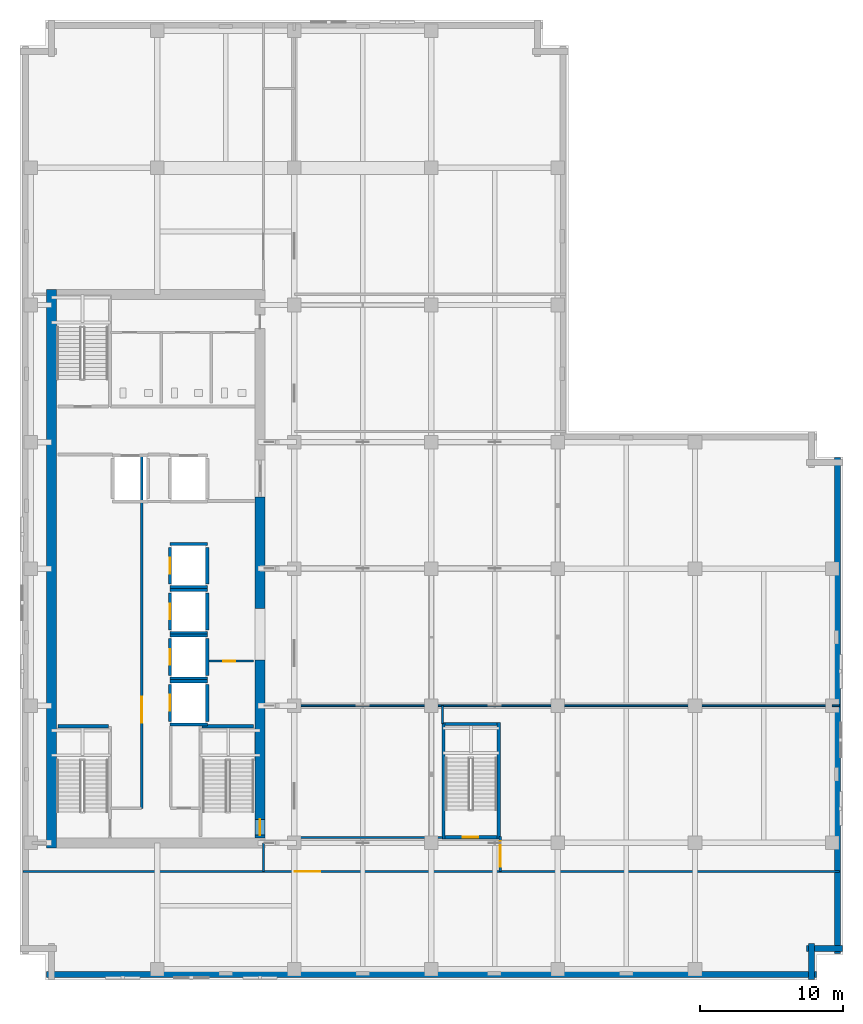
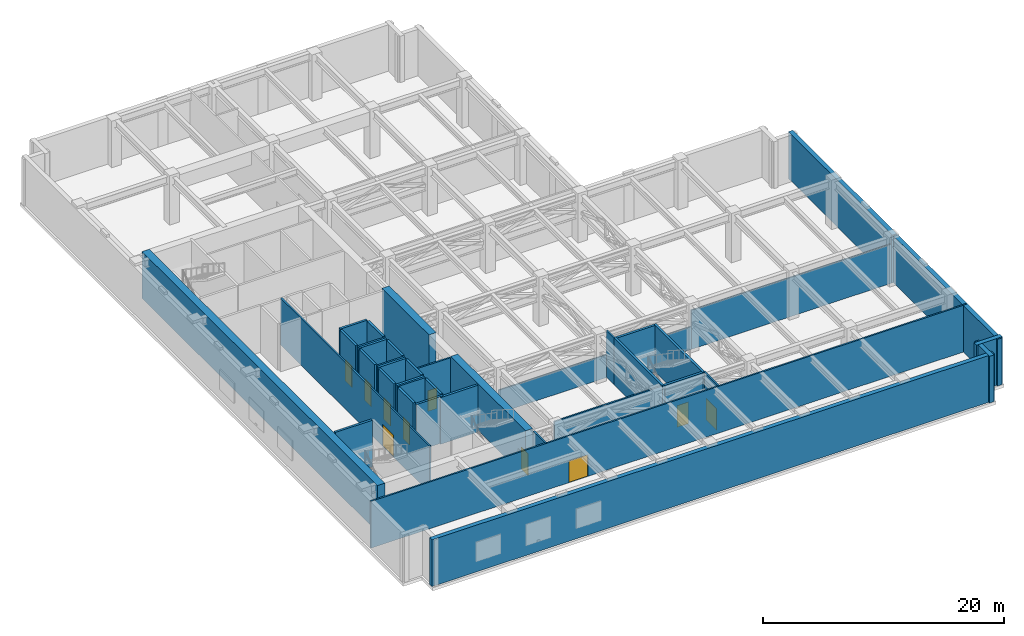
# One storey, part 13 of 21: 39 walls, 10 doors, 10 openings.
"""IFC4 building model written with IfcOpenShell, lengths in metres."""

from ifc_helpers import new_model, si_unit, direction, frame, frame_2d, origin, place, context, subcontext, project, spatial, rectangle, extrude, material, layer, layer_set, type_object, element, fill, save


model = new_model("IFC4")

# Units and contexts
model_context = context("Model", 3, precision=1e-05, world=origin(), true_north=direction((0.0, 1.0)))
body_context = subcontext(model_context, "Body", "Model", "MODEL_VIEW")
ifc_project = project(units=[si_unit("LENGTHUNIT", "METRE"), si_unit("AREAUNIT", "SQUARE_METRE"), si_unit("VOLUMEUNIT", "CUBIC_METRE"), si_unit("PLANEANGLEUNIT", "RADIAN"), si_unit("MASSUNIT", "GRAM", prefix="KILO")], contexts=[model_context])

# Site, building, storey
site_placement = place(None, origin())
site = spatial("IfcSite", under=ifc_project, at=site_placement, CompositionType="ELEMENT")
building_placement = place(site_placement, origin())
building = spatial("IfcBuilding", under=site, at=building_placement, Name="Norrvale University Quadrangle", CompositionType="ELEMENT")
storey_placement = place(building_placement, frame((0.0, 0.0, 194.0)))
storey = spatial("IfcBuildingStorey", under=building, at=storey_placement, Name="L49", CompositionType="ELEMENT", Elevation=194.0)

# Walls
ifc_material_1 = material(Name="Buff Norman Clay Brick Masonry", Category="masonry")
ifc_layer_1 = layer(ifc_material_1, 0.419921875, Name="Buff Norman Clay Brick Masonry")
ifc_layer_set_1 = layer_set([ifc_layer_1], Name="Buff Norman Clay Brick Masonry")
wall_type_1 = type_object("IfcWallType", Name="Wall Buff Brick 420", PredefinedType="SOLIDWALL", material=ifc_layer_set_1)
wall_1_placement = place(storey_placement, frame((1.840087890625, 0.389892578125, 0.0), z_axis=(0.0, 0.0, 1.0), x_axis=(1.0, 0.0, 0.0)))
element("IfcWall", 1, at=wall_1_placement, inside=storey, type_object=wall_type_1, Name="Exterior Brick Facade Wall L49-01.1", PredefinedType="SOLIDWALL", context=body_context, shape_type="SweptSolid", body=[
    extrude(rectangle(XDim=53.919921875, YDim=0.419921875, at=frame_2d((26.9599609375, 0.0))), origin(), (0.0, 0.0, 1.0), 4.739990234375),
])
for number, where, z_axis, x_axis, name in (
    (2, (55.409912109375, 0.0400390625, 0.0), (0.0, 0.0, 1.0), (0.0, 1.0, 0.0), "Exterior Brick Facade Wall L49-02.1"),
    (3, (55.06005859375, 2.18994140625, 0.0), (0.0, 0.0, 1.0), (1.0, 0.0, 0.0), "Exterior Brick Facade Wall L49-03.1"),
):
    element("IfcWall", number, at=place(storey_placement, frame(where, z_axis=z_axis, x_axis=x_axis)), inside=storey, type_object=wall_type_1, Name=name, PredefinedType="SOLIDWALL", context=body_context, shape_type="SweptSolid", body=[
        extrude(rectangle(XDim=2.5, YDim=0.419921875, at=frame_2d((1.25, 0.0))), origin(), (0.0, 0.0, 1.0), 4.739990234375),
    ])
wall_2_placement = place(storey_placement, frame((57.2099609375, 1.840087890625, 0.0), z_axis=(0.0, 0.0, 1.0), x_axis=(0.0, 1.0, 0.0)))
element("IfcWall", 4, at=wall_2_placement, inside=storey, type_object=wall_type_1, Name="Exterior Brick Facade Wall L49-04.1", PredefinedType="SOLIDWALL", context=body_context, shape_type="SweptSolid", body=[
    extrude(rectangle(XDim=34.719970703125, YDim=0.419921875, at=frame_2d((17.35986328125, 0.0))), origin(), (0.0, 0.0, 1.0), 4.739990234375),
])
ifc_material_2 = material(Name="Concrete C60/75", Category="concrete")
ifc_layer_2 = layer(ifc_material_2, 0.699951171875, Name="Concrete C60/75")
ifc_layer_set_2 = layer_set([ifc_layer_2], Name="Concrete C60/75")
wall_type_2 = type_object("IfcWallType", Name="Wall Core 700", PredefinedType="SHEAR", material=ifc_layer_set_2)
wall_3_placement = place(storey_placement, frame((2.199951171875, 9.25, 0.0), z_axis=(0.0, 0.0, 1.0), x_axis=(0.0, 1.0, 0.0)))
element("IfcWall", 5, at=wall_3_placement, inside=storey, type_object=wall_type_2, Name="Tower Core Shear Wall L49-W", PredefinedType="SHEAR", context=body_context, shape_type="SweptSolid", body=[
    extrude(rectangle(XDim=39.10009765625, YDim=0.699951171875, at=frame_2d((19.550048828125, 0.0))), origin(), (0.0, 0.0, 1.0), 4.739990234375),
])

# Wall, opening, door
wall_4_placement = place(storey_placement, frame((16.800048828125, 9.949951171875, 0.0), z_axis=(0.0, 0.0, 1.0), x_axis=(0.0, 1.0, 0.0)))
wall_4 = element("IfcWall", 6, at=wall_4_placement, inside=storey, type_object=wall_type_2, Name="Tower Core Shear Wall L49-E1", PredefinedType="SHEAR", context=body_context, shape_type="SweptSolid", body=[
    extrude(rectangle(XDim=12.449951171875, YDim=0.699951171875, at=frame_2d((6.22509765625, 0.0))), origin(), (0.0, 0.0, 1.0), 4.739990234375),
])
opening_1_placement = place(wall_4_placement, frame((0.18994140625, 0.0, 0.0)))
opening_1 = element("IfcOpeningElement", 7, at=opening_1_placement, cuts=wall_4, Name="Opening D02", PredefinedType="OPENING", context=body_context, shape_type="SweptSolid", body=[
    extrude(rectangle(XDim=1.10009765625, YDim=2.199951171875, at=frame_2d((0.550048828125, 1.10009765625))), frame((0.0, 0.362060546875, 0.0), z_axis=(0.0, -1.0, 0.0), x_axis=(1.0, 0.0, 0.0)), (0.0, 0.0, 1.0), 0.723876953125),
])
ifc_material_3 = material(Name="Hollow Steel 350W Fire Door", Category="steel")
door_type_1 = type_object("IfcDoorType", Name="Door Stair Exit 1100x2200", OperationType="NOTDEFINED", PredefinedType="DOOR", material=ifc_material_3)
door_1_placement = place(opening_1_placement, origin())
door_1 = element("IfcDoor", 8, at=door_1_placement, inside=storey, type_object=door_type_1, Name="Door Stair Exit 1100x2200 DR-L49-ST03", OperationType="SINGLE_SWING_LEFT", OverallHeight=2.199951171875, OverallWidth=1.10009765625, PredefinedType="DOOR", context=body_context, shape_type="SweptSolid", body=[
    extrude(rectangle(XDim=1.10009765625, YDim=2.199951171875, at=frame_2d((0.550048828125, 1.10009765625))), frame((0.0, 0.02490234375, 0.0), z_axis=(0.0, -1.0, 0.0), x_axis=(1.0, 0.0, 0.0)), (0.0, 0.0, 1.0), 0.050048828125),
])
fill(opening_1, door_1)

# Walls
wall_5_placement = place(storey_placement, frame((16.800048828125, 26.0, 0.0), z_axis=(0.0, 0.0, 1.0), x_axis=(0.0, 1.0, 0.0)))
element("IfcWall", 9, at=wall_5_placement, inside=storey, type_object=wall_type_2, Name="Tower Core Shear Wall L49-E2", PredefinedType="SHEAR", context=body_context, shape_type="SweptSolid", body=[
    extrude(rectangle(XDim=7.800048828125, YDim=0.699951171875, at=frame_2d((3.89990234375, 0.0))), origin(), (0.0, 0.0, 1.0), 4.739990234375),
])
ifc_material_4 = material(Name="Standard Academic Gypsum Partition")
ifc_layer_3 = layer(ifc_material_4, 0.125, Name="Standard Academic Gypsum Partition")
ifc_layer_set_3 = layer_set([ifc_layer_3], Name="Standard Academic Gypsum Partition")
wall_type_3 = type_object("IfcWallType", Name="Wall Gypsum Academic 125", PredefinedType="PARTITIONING", material=ifc_layer_set_3)
wall_6_placement = place(storey_placement, frame((29.580078125, 17.949951171875, 0.0), z_axis=(0.0, 0.0, 1.0), x_axis=(0.0, 1.0, 0.0)))
element("IfcWall", 10, at=wall_6_placement, inside=storey, type_object=wall_type_3, Name="Interior Partition WL-L49-SUB-E", PredefinedType="PARTITIONING", context=body_context, shape_type="SweptSolid", body=[
    extrude(rectangle(XDim=1.25, YDim=0.125, at=frame_2d((0.625, 0.0))), origin(), (0.0, 0.0, 1.0), 4.739990234375),
])
wall_7_placement = place(storey_placement, frame((19.199951171875, 19.199951171875, 0.0), z_axis=(0.0, 0.0, 1.0), x_axis=(1.0, 0.0, 0.0)))
element("IfcWall", 11, at=wall_7_placement, inside=storey, type_object=wall_type_3, Name="Interior Partition WL-L49-SUB-N", PredefinedType="PARTITIONING", context=body_context, shape_type="SweptSolid", body=[
    extrude(rectangle(XDim=18.449951171875, YDim=0.125, at=frame_2d((9.22509765625, 0.0))), origin(), (0.0, 0.0, 1.0), 2.322509765625),
])
wall_8_placement = place(storey_placement, frame((37.64990234375, 19.199951171875, 0.0), z_axis=(0.0, 0.0, 1.0), x_axis=(1.0, 0.0, 0.0)))
element("IfcWall", 12, at=wall_8_placement, inside=storey, type_object=wall_type_3, Name="Interior Partition WL-L49-SUB-N-B2", PredefinedType="PARTITIONING", context=body_context, shape_type="SweptSolid", body=[
    extrude(rectangle(XDim=19.2001953125, YDim=0.125, at=frame_2d((9.60009765625, 0.0))), origin(), (0.0, 0.0, 1.0), 3.967041015625),
])
wall_9_placement = place(storey_placement, frame((56.85009765625, 19.199951171875, 0.0), z_axis=(0.0, 0.0, 1.0), x_axis=(1.0, 0.0, 0.0)))
element("IfcWall", 13, at=wall_9_placement, inside=storey, type_object=wall_type_3, Name="Interior Partition WL-L49-SUB-N-B3", PredefinedType="PARTITIONING", context=body_context, shape_type="SweptSolid", body=[
    extrude(rectangle(XDim=0.52978515625, YDim=0.125, at=frame_2d((0.264892578125, 0.0))), origin(), (0.0, 0.0, 1.0), 4.739990234375),
])

# Wall, opening, door
ifc_material_5 = material(Name="Fire-Rated Gypsum Stud Partition")
ifc_layer_4 = layer(ifc_material_5, 0.14990234375, Name="Fire-Rated Gypsum Stud Partition")
ifc_layer_set_4 = layer_set([ifc_layer_4], Name="Fire-Rated Gypsum Stud Partition")
wall_type_4 = type_object("IfcWallType", Name="Wall Gypsum Corridor 150", PredefinedType="PARTITIONING", material=ifc_layer_set_4)
wall_10_placement = place(storey_placement, frame((13.22509765625, 22.320068359375, 0.0), z_axis=(0.0, 0.0, 1.0), x_axis=(1.0, 0.0, 0.0)))
wall_10 = element("IfcWall", 14, at=wall_10_placement, inside=storey, type_object=wall_type_4, Name="Interior Partition WL-L49-JAN-N", PredefinedType="PARTITIONING", context=body_context, shape_type="SweptSolid", body=[
    extrude(rectangle(XDim=3.119873046875, YDim=0.14990234375, at=frame_2d((1.56005859375, 0.0))), origin(), (0.0, 0.0, 1.0), 4.739990234375),
])
opening_2_placement = place(wall_10_placement, frame((1.0, 0.0, 0.0)))
opening_2 = element("IfcOpeningElement", 15, at=opening_2_placement, cuts=wall_10, Name="Opening D10", PredefinedType="OPENING", context=body_context, shape_type="SweptSolid", body=[
    extrude(rectangle(XDim=0.85009765625, YDim=2.10009765625, at=frame_2d((0.425048828125, 1.050048828125))), frame((0.0, 0.0869140625, 0.0), z_axis=(0.0, -1.0, 0.0), x_axis=(1.0, 0.0, 0.0)), (0.0, 0.0, 1.0), 0.173828125),
])
ifc_material_6 = material(Name="Hollow Steel 350W Riser Fire Door", Category="steel")
door_type_2 = type_object("IfcDoorType", Name="Door Riser 850x2100", OperationType="NOTDEFINED", PredefinedType="DOOR", material=ifc_material_6)
door_2_placement = place(opening_2_placement, origin())
door_2 = element("IfcDoor", 16, at=door_2_placement, inside=storey, type_object=door_type_2, Name="Door Riser 850x2100 DR-L49-JAN", OperationType="SINGLE_SWING_LEFT", OverallHeight=2.10009765625, OverallWidth=0.85009765625, PredefinedType="DOOR", context=body_context, shape_type="SweptSolid", body=[
    extrude(rectangle(XDim=0.85009765625, YDim=2.10009765625, at=frame_2d((0.425048828125, 1.050048828125))), frame((0.0, 0.02490234375, 0.0), z_axis=(0.0, -1.0, 0.0), x_axis=(1.0, 0.0, 0.0)), (0.0, 0.0, 1.0), 0.050048828125),
])
fill(opening_2, door_2)

wall_11_placement = place(storey_placement, frame((8.52001953125, 12.02001953125, 0.0), z_axis=(0.0, 0.0, 1.0), x_axis=(0.0, 1.0, 0.0)))
wall_11 = element("IfcWall", 17, at=wall_11_placement, inside=storey, type_object=wall_type_4, Name="Interior Partition WL-L49-REC-E", PredefinedType="PARTITIONING", context=body_context, shape_type="SweptSolid", body=[
    extrude(rectangle(XDim=24.760009765625, YDim=0.14990234375, at=frame_2d((12.3798828125, 0.0))), origin(), (0.0, 0.0, 1.0), 4.739990234375),
])
opening_3_placement = place(wall_11_placement, frame((6.0, 0.0, 0.0)))
opening_3 = element("IfcOpeningElement", 18, at=opening_3_placement, cuts=wall_11, Name="Opening D03", PredefinedType="OPENING", context=body_context, shape_type="SweptSolid", body=[
    extrude(rectangle(XDim=1.800048828125, YDim=2.199951171875, at=frame_2d((0.89990234375, 1.10009765625))), frame((0.0, 0.0869140625, 0.0), z_axis=(0.0, -1.0, 0.0), x_axis=(1.0, 0.0, 0.0)), (0.0, 0.0, 1.0), 0.173828125),
])
door_type_3 = type_object("IfcDoorType", Name="Door Fire Lobby 1800x2200", OperationType="DOUBLE_DOOR_SINGLE_SWING", PredefinedType="DOOR", material=ifc_material_3)
door_3_placement = place(opening_3_placement, origin())
door_3 = element("IfcDoor", 19, at=door_3_placement, inside=storey, type_object=door_type_3, Name="Door Fire Lobby 1800x2200 DR-L49-RECP", OperationType="DOUBLE_DOOR_SINGLE_SWING", OverallHeight=2.199951171875, OverallWidth=1.800048828125, PredefinedType="DOOR", context=body_context, shape_type="SweptSolid", body=[
    extrude(rectangle(XDim=1.800048828125, YDim=2.199951171875, at=frame_2d((0.89990234375, 1.10009765625))), frame((0.0, 0.02490234375, 0.0), z_axis=(0.0, -1.0, 0.0), x_axis=(1.0, 0.0, 0.0)), (0.0, 0.0, 1.0), 0.050048828125),
])
fill(opening_3, door_3)

# Wall
wall_12_placement = place(storey_placement, frame((17.050048828125, 7.60009765625, 0.0), z_axis=(0.0, 0.0, 1.0), x_axis=(0.0, 1.0, 0.0)))
element("IfcWall", 20, at=wall_12_placement, inside=storey, type_object=wall_type_4, Name="Interior Partition WL-L49-PCSW", PredefinedType="PARTITIONING", context=body_context, shape_type="SweptSolid", body=[
    extrude(rectangle(XDim=2.0, YDim=0.14990234375, at=frame_2d((1.0, 0.0))), origin(), (0.0, 0.0, 1.0), 4.739990234375),
])

# Wall, opening, door
wall_13_placement = place(storey_placement, frame((0.219970703125, 7.60009765625, 0.0), z_axis=(0.0, 0.0, 1.0), x_axis=(1.0, 0.0, 0.0)))
wall_13 = element("IfcWall", 21, at=wall_13_placement, inside=storey, type_object=wall_type_4, Name="Interior Partition WL-L49-PMP-N", PredefinedType="PARTITIONING", context=body_context, shape_type="SweptSolid", body=[
    extrude(rectangle(XDim=57.159912109375, YDim=0.14990234375, at=frame_2d((28.580078125, 0.0))), origin(), (0.0, 0.0, 1.0), 4.739990234375),
])
opening_4_placement = place(wall_13_placement, frame((19.0, 0.0, 0.0)))
opening_4 = element("IfcOpeningElement", 22, at=opening_4_placement, cuts=wall_13, Name="Opening D03", PredefinedType="OPENING", context=body_context, shape_type="SweptSolid", body=[
    extrude(rectangle(XDim=1.800048828125, YDim=2.199951171875, at=frame_2d((0.89990234375, 1.10009765625))), frame((0.0, 0.0869140625, 0.0), z_axis=(0.0, -1.0, 0.0), x_axis=(1.0, 0.0, 0.0)), (0.0, 0.0, 1.0), 0.173828125),
])
door_4_placement = place(opening_4_placement, origin())
door_4 = element("IfcDoor", 23, at=door_4_placement, inside=storey, type_object=door_type_3, Name="Door Fire Lobby 1800x2200 DR-L49-PMP1", OperationType="DOUBLE_DOOR_SINGLE_SWING", OverallHeight=2.199951171875, OverallWidth=1.800048828125, PredefinedType="DOOR", context=body_context, shape_type="SweptSolid", body=[
    extrude(rectangle(XDim=1.800048828125, YDim=2.199951171875, at=frame_2d((0.89990234375, 1.10009765625))), frame((0.0, 0.02490234375, 0.0), z_axis=(0.0, -1.0, 0.0), x_axis=(1.0, 0.0, 0.0)), (0.0, 0.0, 1.0), 0.050048828125),
])
fill(opening_4, door_4)

wall_14_placement = place(storey_placement, frame((33.6201171875, 7.60009765625, 0.0), z_axis=(0.0, 0.0, 1.0), x_axis=(0.0, 1.0, 0.0)))
wall_14 = element("IfcWall", 24, at=wall_14_placement, inside=storey, type_object=wall_type_4, Name="Interior Partition WL-L49-BLR-W", PredefinedType="PARTITIONING", context=body_context, shape_type="SweptSolid", body=[
    extrude(rectangle(XDim=2.449951171875, YDim=0.14990234375, at=frame_2d((1.22509765625, 0.0))), origin(), (0.0, 0.0, 1.0), 4.739990234375),
])
opening_5_placement = place(wall_14_placement, frame((0.320068359375, 0.0, 0.0)))
opening_5 = element("IfcOpeningElement", 25, at=opening_5_placement, cuts=wall_14, Name="Opening D03", PredefinedType="OPENING", context=body_context, shape_type="SweptSolid", body=[
    extrude(rectangle(XDim=1.800048828125, YDim=2.199951171875, at=frame_2d((0.89990234375, 1.10009765625))), frame((0.0, 0.0869140625, 0.0), z_axis=(0.0, -1.0, 0.0), x_axis=(1.0, 0.0, 0.0)), (0.0, 0.0, 1.0), 0.173828125),
])
door_5_placement = place(opening_5_placement, origin())
door_5 = element("IfcDoor", 26, at=door_5_placement, inside=storey, type_object=door_type_3, Name="Door Fire Lobby 1800x2200 DR-L49-BLR1", OperationType="DOUBLE_DOOR_SINGLE_SWING", OverallHeight=2.199951171875, OverallWidth=1.800048828125, PredefinedType="DOOR", context=body_context, shape_type="SweptSolid", body=[
    extrude(rectangle(XDim=1.800048828125, YDim=2.199951171875, at=frame_2d((0.89990234375, 1.10009765625))), frame((0.0, 0.02490234375, 0.0), z_axis=(0.0, -1.0, 0.0), x_axis=(1.0, 0.0, 0.0)), (0.0, 0.0, 1.0), 0.050048828125),
])
fill(opening_5, door_5)

# Walls
wall_15_placement = place(storey_placement, frame((19.199951171875, 9.97998046875, 0.0), z_axis=(0.0, 0.0, 1.0), x_axis=(1.0, 0.0, 0.0)))
element("IfcWall", 27, at=wall_15_placement, inside=storey, type_object=wall_type_4, Name="Interior Partition WL-L49-SUB-S", PredefinedType="PARTITIONING", context=body_context, shape_type="SweptSolid", body=[
    extrude(rectangle(XDim=10.380126953125, YDim=0.14990234375, at=frame_2d((5.18994140625, 0.0))), origin(), (0.0, 0.0, 1.0), 4.739990234375),
])
ifc_material_7 = material(Name="Concrete Blockwork 20 MPa Fire Shaft", Category="masonry")
ifc_layer_5 = layer(ifc_material_7, 0.219970703125, Name="Concrete Blockwork 20 MPa Fire Shaft")
ifc_layer_set_5 = layer_set([ifc_layer_5], Name="Concrete Blockwork 20 MPa Fire Shaft")
wall_type_5 = type_object("IfcWallType", Name="Wall Shaft 220", PredefinedType="SOLIDWALL", material=ifc_layer_set_5)
wall_16_placement = place(storey_placement, frame((2.64990234375, 17.760009765625, 0.0), z_axis=(0.0, 0.0, 1.0), x_axis=(1.0, 0.0, 0.0)))
element("IfcWall", 28, at=wall_16_placement, inside=storey, type_object=wall_type_5, Name="Stair ST-01 North Shaft Wall L49", PredefinedType="SOLIDWALL", context=body_context, shape_type="SweptSolid", body=[
    extrude(rectangle(XDim=3.550048828125, YDim=0.219970703125, at=frame_2d((1.77490234375, 0.0))), origin(), (0.0, 0.0, 1.0), 4.739990234375),
])
wall_17_placement = place(storey_placement, frame((12.75, 17.760009765625, 0.0), z_axis=(0.0, 0.0, 1.0), x_axis=(1.0, 0.0, 0.0)))
element("IfcWall", 29, at=wall_17_placement, inside=storey, type_object=wall_type_5, Name="Stair ST-03 North Shaft Wall L49", PredefinedType="SOLIDWALL", context=body_context, shape_type="SweptSolid", body=[
    extrude(rectangle(XDim=3.60009765625, YDim=0.219970703125, at=frame_2d((1.800048828125, 0.0))), origin(), (0.0, 0.0, 1.0), 4.739990234375),
])

# Wall, opening, door
wall_18_placement = place(storey_placement, frame((29.75, 9.989990234375, 0.0), z_axis=(0.0, 0.0, 1.0), x_axis=(1.0, 0.0, 0.0)))
wall_18 = element("IfcWall", 30, at=wall_18_placement, inside=storey, type_object=wall_type_5, Name="Stair ST-04 South Shaft Wall L49", PredefinedType="SOLIDWALL", context=body_context, shape_type="SweptSolid", body=[
    extrude(rectangle(XDim=3.64990234375, YDim=0.219970703125, at=frame_2d((1.824951171875, 0.0))), origin(), (0.0, 0.0, 1.0), 4.739990234375),
])
opening_6_placement = place(wall_18_placement, frame((1.239990234375, 0.0, 0.0)))
opening_6 = element("IfcOpeningElement", 31, at=opening_6_placement, cuts=wall_18, Name="Opening D02", PredefinedType="OPENING", context=body_context, shape_type="SweptSolid", body=[
    extrude(rectangle(XDim=1.10009765625, YDim=2.199951171875, at=frame_2d((0.550048828125, 1.10009765625))), frame((0.0, 0.1220703125, 0.0), z_axis=(0.0, -1.0, 0.0), x_axis=(1.0, 0.0, 0.0)), (0.0, 0.0, 1.0), 0.243896484375),
])
door_6_placement = place(opening_6_placement, origin())
door_6 = element("IfcDoor", 32, at=door_6_placement, inside=storey, type_object=door_type_1, Name="Door Stair Exit 1100x2200 DR-L49-ST04", OperationType="SINGLE_SWING_LEFT", OverallHeight=2.199951171875, OverallWidth=1.10009765625, PredefinedType="DOOR", context=body_context, shape_type="SweptSolid", body=[
    extrude(rectangle(XDim=1.10009765625, YDim=2.199951171875, at=frame_2d((0.550048828125, 1.10009765625))), frame((0.0, 0.02490234375, 0.0), z_axis=(0.0, -1.0, 0.0), x_axis=(1.0, 0.0, 0.0)), (0.0, 0.0, 1.0), 0.050048828125),
])
fill(opening_6, door_6)

# Walls
for number, where, z_axis, x_axis, name in (
    (33, (29.639892578125, 9.8798828125, 0.0), (0.0, 0.0, 1.0), (0.0, 1.0, 0.0), "Stair ST-04 West Shaft Wall L49"),
    (34, (33.510009765625, 9.8798828125, 0.0), (0.0, 0.0, 1.0), (0.0, 1.0, 0.0), "Stair ST-04 East Shaft Wall L49"),
):
    element("IfcWall", number, at=place(storey_placement, frame(where, z_axis=z_axis, x_axis=x_axis)), inside=storey, type_object=wall_type_5, Name=name, PredefinedType="SOLIDWALL", context=body_context, shape_type="SweptSolid", body=[
        extrude(rectangle(XDim=8.14013671875, YDim=0.219970703125, at=frame_2d((4.070068359375, 0.0))), origin(), (0.0, 0.0, 1.0), 4.739990234375),
    ])
wall_19_placement = place(storey_placement, frame((29.75, 17.909912109375, 0.0), z_axis=(0.0, 0.0, 1.0), x_axis=(1.0, 0.0, 0.0)))
element("IfcWall", 35, at=wall_19_placement, inside=storey, type_object=wall_type_5, Name="Stair ST-04 North Shaft Wall L49", PredefinedType="SOLIDWALL", context=body_context, shape_type="SweptSolid", body=[
    extrude(rectangle(XDim=3.64990234375, YDim=0.219970703125, at=frame_2d((1.824951171875, 0.0))), origin(), (0.0, 0.0, 1.0), 4.739990234375),
])

# Wall, opening, door
wall_20_placement = place(storey_placement, frame((10.489990234375, 18.110107421875, 0.0), z_axis=(0.0, 0.0, 1.0), x_axis=(0.0, 1.0, 0.0)))
wall_20 = element("IfcWall", 36, at=wall_20_placement, inside=storey, type_object=wall_type_5, Name="Hoistway PL-05 West Wall L49", PredefinedType="SOLIDWALL", context=body_context, shape_type="SweptSolid", body=[
    extrude(rectangle(XDim=2.579833984375, YDim=0.219970703125, at=frame_2d((1.2900390625, 0.0))), origin(), (0.0, 0.0, 1.0), 4.739990234375),
])
opening_7_placement = place(wall_20_placement, frame((0.739990234375, 0.0, 0.0)))
opening_7 = element("IfcOpeningElement", 37, at=opening_7_placement, cuts=wall_20, Name="Opening LD1", PredefinedType="OPENING", context=body_context, shape_type="SweptSolid", body=[
    extrude(rectangle(XDim=1.10009765625, YDim=2.199951171875, at=frame_2d((0.550048828125, 1.10009765625))), frame((0.0, 0.1220703125, 0.0), z_axis=(0.0, -1.0, 0.0), x_axis=(1.0, 0.0, 0.0)), (0.0, 0.0, 1.0), 0.243896484375),
])
ifc_material_8 = material(Name="Stainless Steel 316L Lift Landing Door", Category="steel")
door_type_4 = type_object("IfcDoorType", Name="Door Lift Landing 1100x2200", OperationType="DOUBLE_DOOR_SLIDING", PredefinedType="DOOR", material=ifc_material_8)
door_7_placement = place(opening_7_placement, origin())
door_7 = element("IfcDoor", 38, at=door_7_placement, inside=storey, type_object=door_type_4, Name="Elevator Landing Door DR-L49-PL-05", OperationType="DOUBLE_DOOR_SLIDING", OverallHeight=2.199951171875, OverallWidth=1.10009765625, PredefinedType="DOOR", context=body_context, shape_type="SweptSolid", body=[
    extrude(rectangle(XDim=1.10009765625, YDim=2.199951171875, at=frame_2d((0.550048828125, 1.10009765625))), frame((0.0, 0.02490234375, 0.0), z_axis=(0.0, -1.0, 0.0), x_axis=(1.0, 0.0, 0.0)), (0.0, 0.0, 1.0), 0.050048828125),
])
fill(opening_7, door_7)

# Walls
wall_21_placement = place(storey_placement, frame((13.110107421875, 18.110107421875, 0.0), z_axis=(0.0, 0.0, 1.0), x_axis=(0.0, 1.0, 0.0)))
element("IfcWall", 39, at=wall_21_placement, inside=storey, type_object=wall_type_5, Name="Hoistway PL-05 East Wall L49", PredefinedType="SOLIDWALL", context=body_context, shape_type="SweptSolid", body=[
    extrude(rectangle(XDim=2.579833984375, YDim=0.219970703125, at=frame_2d((1.2900390625, 0.0))), origin(), (0.0, 0.0, 1.0), 4.739990234375),
])
for number, where, z_axis, x_axis, name in (
    (40, (10.489990234375, 17.889892578125, 0.0), (0.0, 0.0, 1.0), (1.0, 0.0, 0.0), "Hoistway PL-05 South Wall L49"),
    (41, (10.489990234375, 20.909912109375, 0.0), (0.0, 0.0, 1.0), (1.0, 0.0, 0.0), "Hoistway PL-05 North Wall L49"),
):
    element("IfcWall", number, at=place(storey_placement, frame(where, z_axis=z_axis, x_axis=x_axis)), inside=storey, type_object=wall_type_5, Name=name, PredefinedType="SOLIDWALL", context=body_context, shape_type="SweptSolid", body=[
        extrude(rectangle(XDim=2.6201171875, YDim=0.219970703125, at=frame_2d((1.31005859375, 0.0))), origin(), (0.0, 0.0, 1.0), 4.739990234375),
    ])

# Wall, opening, door
wall_22_placement = place(storey_placement, frame((10.489990234375, 21.31005859375, 0.0), z_axis=(0.0, 0.0, 1.0), x_axis=(0.0, 1.0, 0.0)))
wall_22 = element("IfcWall", 42, at=wall_22_placement, inside=storey, type_object=wall_type_5, Name="Hoistway PL-06 West Wall L49", PredefinedType="SOLIDWALL", context=body_context, shape_type="SweptSolid", body=[
    extrude(rectangle(XDim=2.579833984375, YDim=0.219970703125, at=frame_2d((1.2900390625, 0.0))), origin(), (0.0, 0.0, 1.0), 4.739990234375),
])
opening_8_placement = place(wall_22_placement, frame((0.739990234375, 0.0, 0.0)))
opening_8 = element("IfcOpeningElement", 43, at=opening_8_placement, cuts=wall_22, Name="Opening LD1", PredefinedType="OPENING", context=body_context, shape_type="SweptSolid", body=[
    extrude(rectangle(XDim=1.10009765625, YDim=2.199951171875, at=frame_2d((0.550048828125, 1.10009765625))), frame((0.0, 0.1220703125, 0.0), z_axis=(0.0, -1.0, 0.0), x_axis=(1.0, 0.0, 0.0)), (0.0, 0.0, 1.0), 0.243896484375),
])
door_8_placement = place(opening_8_placement, origin())
door_8 = element("IfcDoor", 44, at=door_8_placement, inside=storey, type_object=door_type_4, Name="Elevator Landing Door DR-L49-PL-06", OperationType="DOUBLE_DOOR_SLIDING", OverallHeight=2.199951171875, OverallWidth=1.10009765625, PredefinedType="DOOR", context=body_context, shape_type="SweptSolid", body=[
    extrude(rectangle(XDim=1.10009765625, YDim=2.199951171875, at=frame_2d((0.550048828125, 1.10009765625))), frame((0.0, 0.02490234375, 0.0), z_axis=(0.0, -1.0, 0.0), x_axis=(1.0, 0.0, 0.0)), (0.0, 0.0, 1.0), 0.050048828125),
])
fill(opening_8, door_8)

# Walls
wall_23_placement = place(storey_placement, frame((13.110107421875, 21.31005859375, 0.0), z_axis=(0.0, 0.0, 1.0), x_axis=(0.0, 1.0, 0.0)))
element("IfcWall", 45, at=wall_23_placement, inside=storey, type_object=wall_type_5, Name="Hoistway PL-06 East Wall L49", PredefinedType="SOLIDWALL", context=body_context, shape_type="SweptSolid", body=[
    extrude(rectangle(XDim=2.579833984375, YDim=0.219970703125, at=frame_2d((1.2900390625, 0.0))), origin(), (0.0, 0.0, 1.0), 4.739990234375),
])
for number, where, z_axis, x_axis, name in (
    (46, (10.489990234375, 21.090087890625, 0.0), (0.0, 0.0, 1.0), (1.0, 0.0, 0.0), "Hoistway PL-06 South Wall L49"),
    (47, (10.489990234375, 24.110107421875, 0.0), (0.0, 0.0, 1.0), (1.0, 0.0, 0.0), "Hoistway PL-06 North Wall L49"),
):
    element("IfcWall", number, at=place(storey_placement, frame(where, z_axis=z_axis, x_axis=x_axis)), inside=storey, type_object=wall_type_5, Name=name, PredefinedType="SOLIDWALL", context=body_context, shape_type="SweptSolid", body=[
        extrude(rectangle(XDim=2.6201171875, YDim=0.219970703125, at=frame_2d((1.31005859375, 0.0))), origin(), (0.0, 0.0, 1.0), 4.739990234375),
    ])

# Wall, opening, door
wall_24_placement = place(storey_placement, frame((10.489990234375, 24.510009765625, 0.0), z_axis=(0.0, 0.0, 1.0), x_axis=(0.0, 1.0, 0.0)))
wall_24 = element("IfcWall", 48, at=wall_24_placement, inside=storey, type_object=wall_type_5, Name="Hoistway PL-07 West Wall L49", PredefinedType="SOLIDWALL", context=body_context, shape_type="SweptSolid", body=[
    extrude(rectangle(XDim=2.580078125, YDim=0.219970703125, at=frame_2d((1.2900390625, 0.0))), origin(), (0.0, 0.0, 1.0), 4.739990234375),
])
opening_9_placement = place(wall_24_placement, frame((0.739990234375, 0.0, 0.0)))
opening_9 = element("IfcOpeningElement", 49, at=opening_9_placement, cuts=wall_24, Name="Opening LD1", PredefinedType="OPENING", context=body_context, shape_type="SweptSolid", body=[
    extrude(rectangle(XDim=1.10009765625, YDim=2.199951171875, at=frame_2d((0.550048828125, 1.10009765625))), frame((0.0, 0.1220703125, 0.0), z_axis=(0.0, -1.0, 0.0), x_axis=(1.0, 0.0, 0.0)), (0.0, 0.0, 1.0), 0.243896484375),
])
door_9_placement = place(opening_9_placement, origin())
door_9 = element("IfcDoor", 50, at=door_9_placement, inside=storey, type_object=door_type_4, Name="Elevator Landing Door DR-L49-PL-07", OperationType="DOUBLE_DOOR_SLIDING", OverallHeight=2.199951171875, OverallWidth=1.10009765625, PredefinedType="DOOR", context=body_context, shape_type="SweptSolid", body=[
    extrude(rectangle(XDim=1.10009765625, YDim=2.199951171875, at=frame_2d((0.550048828125, 1.10009765625))), frame((0.0, 0.02490234375, 0.0), z_axis=(0.0, -1.0, 0.0), x_axis=(1.0, 0.0, 0.0)), (0.0, 0.0, 1.0), 0.050048828125),
])
fill(opening_9, door_9)

# Walls
wall_25_placement = place(storey_placement, frame((13.110107421875, 24.510009765625, 0.0), z_axis=(0.0, 0.0, 1.0), x_axis=(0.0, 1.0, 0.0)))
element("IfcWall", 51, at=wall_25_placement, inside=storey, type_object=wall_type_5, Name="Hoistway PL-07 East Wall L49", PredefinedType="SOLIDWALL", context=body_context, shape_type="SweptSolid", body=[
    extrude(rectangle(XDim=2.580078125, YDim=0.219970703125, at=frame_2d((1.2900390625, 0.0))), origin(), (0.0, 0.0, 1.0), 4.739990234375),
])
for number, where, z_axis, x_axis, name in (
    (52, (10.489990234375, 24.2900390625, 0.0), (0.0, 0.0, 1.0), (1.0, 0.0, 0.0), "Hoistway PL-07 South Wall L49"),
    (53, (10.489990234375, 27.31005859375, 0.0), (0.0, 0.0, 1.0), (1.0, 0.0, 0.0), "Hoistway PL-07 North Wall L49"),
):
    element("IfcWall", number, at=place(storey_placement, frame(where, z_axis=z_axis, x_axis=x_axis)), inside=storey, type_object=wall_type_5, Name=name, PredefinedType="SOLIDWALL", context=body_context, shape_type="SweptSolid", body=[
        extrude(rectangle(XDim=2.6201171875, YDim=0.219970703125, at=frame_2d((1.31005859375, 0.0))), origin(), (0.0, 0.0, 1.0), 4.739990234375),
    ])

# Wall, opening, door
wall_26_placement = place(storey_placement, frame((10.489990234375, 27.7099609375, 0.0), z_axis=(0.0, 0.0, 1.0), x_axis=(0.0, 1.0, 0.0)))
wall_26 = element("IfcWall", 54, at=wall_26_placement, inside=storey, type_object=wall_type_5, Name="Hoistway PL-08 West Wall L49", PredefinedType="SOLIDWALL", context=body_context, shape_type="SweptSolid", body=[
    extrude(rectangle(XDim=2.580078125, YDim=0.219970703125, at=frame_2d((1.2900390625, 0.0))), origin(), (0.0, 0.0, 1.0), 4.739990234375),
])
opening_10_placement = place(wall_26_placement, frame((0.739990234375, 0.0, 0.0)))
opening_10 = element("IfcOpeningElement", 55, at=opening_10_placement, cuts=wall_26, Name="Opening LD1", PredefinedType="OPENING", context=body_context, shape_type="SweptSolid", body=[
    extrude(rectangle(XDim=1.10009765625, YDim=2.199951171875, at=frame_2d((0.550048828125, 1.10009765625))), frame((0.0, 0.1220703125, 0.0), z_axis=(0.0, -1.0, 0.0), x_axis=(1.0, 0.0, 0.0)), (0.0, 0.0, 1.0), 0.243896484375),
])
door_10_placement = place(opening_10_placement, origin())
door_10 = element("IfcDoor", 56, at=door_10_placement, inside=storey, type_object=door_type_4, Name="Elevator Landing Door DR-L49-PL-08", OperationType="DOUBLE_DOOR_SLIDING", OverallHeight=2.199951171875, OverallWidth=1.10009765625, PredefinedType="DOOR", context=body_context, shape_type="SweptSolid", body=[
    extrude(rectangle(XDim=1.10009765625, YDim=2.199951171875, at=frame_2d((0.550048828125, 1.10009765625))), frame((0.0, 0.02490234375, 0.0), z_axis=(0.0, -1.0, 0.0), x_axis=(1.0, 0.0, 0.0)), (0.0, 0.0, 1.0), 0.050048828125),
])
fill(opening_10, door_10)

# Walls
wall_27_placement = place(storey_placement, frame((13.110107421875, 27.7099609375, 0.0), z_axis=(0.0, 0.0, 1.0), x_axis=(0.0, 1.0, 0.0)))
element("IfcWall", 57, at=wall_27_placement, inside=storey, type_object=wall_type_5, Name="Hoistway PL-08 East Wall L49", PredefinedType="SOLIDWALL", context=body_context, shape_type="SweptSolid", body=[
    extrude(rectangle(XDim=2.580078125, YDim=0.219970703125, at=frame_2d((1.2900390625, 0.0))), origin(), (0.0, 0.0, 1.0), 4.739990234375),
])
for number, where, z_axis, x_axis, name in (
    (58, (10.489990234375, 27.489990234375, 0.0), (0.0, 0.0, 1.0), (1.0, 0.0, 0.0), "Hoistway PL-08 South Wall L49"),
    (59, (10.489990234375, 30.510009765625, 0.0), (0.0, 0.0, 1.0), (1.0, 0.0, 0.0), "Hoistway PL-08 North Wall L49"),
):
    element("IfcWall", number, at=place(storey_placement, frame(where, z_axis=z_axis, x_axis=x_axis)), inside=storey, type_object=wall_type_5, Name=name, PredefinedType="SOLIDWALL", context=body_context, shape_type="SweptSolid", body=[
        extrude(rectangle(XDim=2.6201171875, YDim=0.219970703125, at=frame_2d((1.31005859375, 0.0))), origin(), (0.0, 0.0, 1.0), 4.739990234375),
    ])

save(model, "model.ifc")
